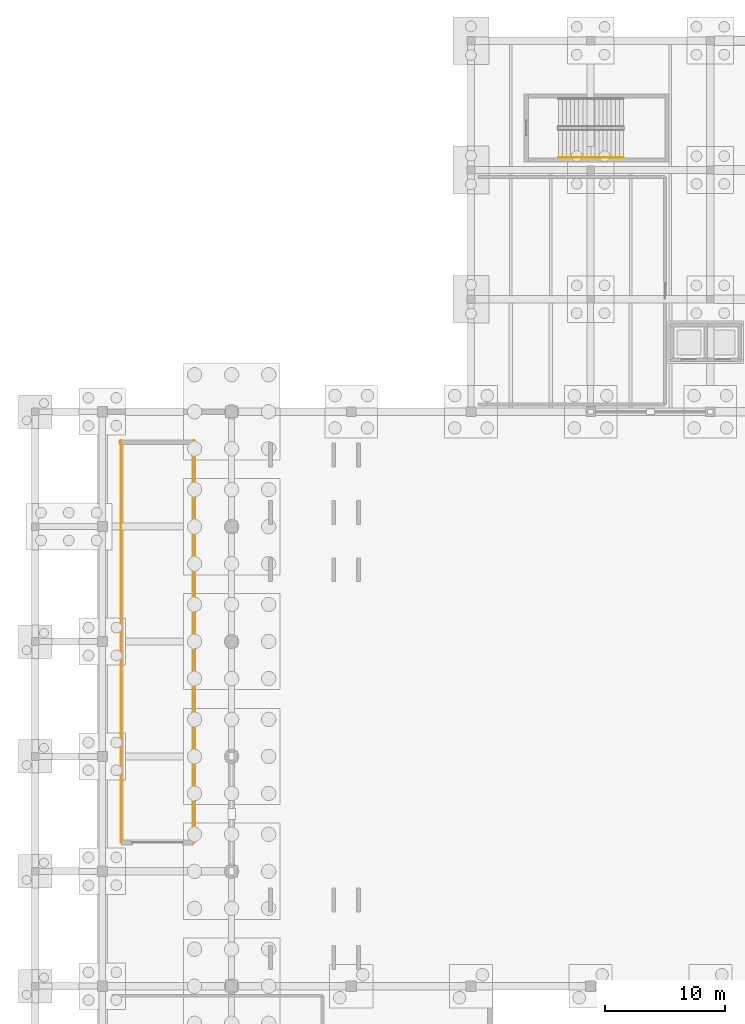
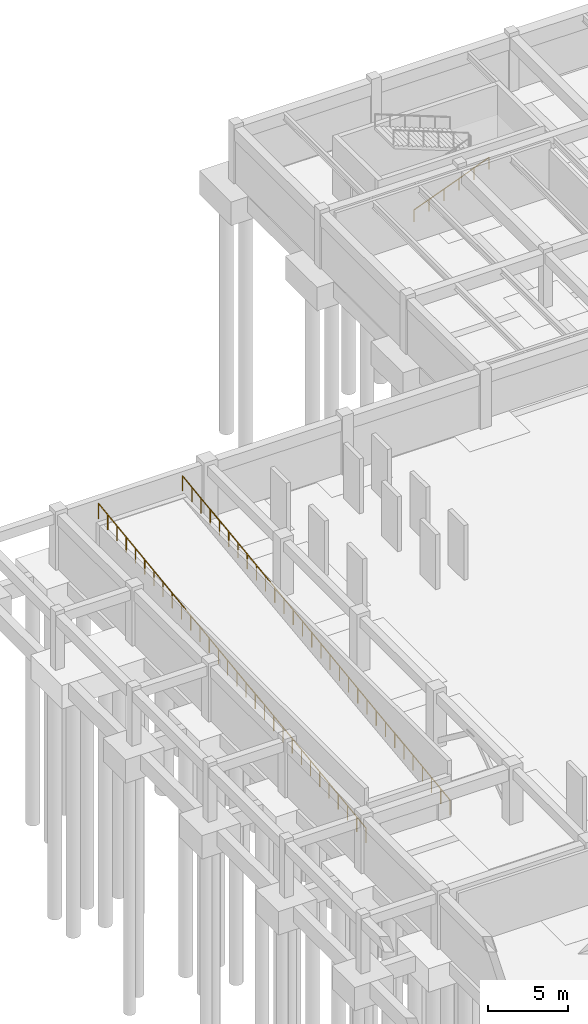
# One storey, part 27 of 33: 3 railings.
"""IFC4 building model written with IfcOpenShell, lengths in metres."""

from ifc_helpers import new_model, si_unit, direction, frame, origin, origin_2d, place, context, subcontext, project, spatial, circle, extrude, material, type_object, element, save


model = new_model("IFC4")

# Units and contexts
model_context = context("Model", 3, precision=1e-05, world=origin(), true_north=direction((0.0, 1.0)))
body_context = subcontext(model_context, "Body", "Model", "MODEL_VIEW")
ifc_project = project(units=[si_unit("LENGTHUNIT", "METRE"), si_unit("AREAUNIT", "SQUARE_METRE"), si_unit("VOLUMEUNIT", "CUBIC_METRE"), si_unit("PLANEANGLEUNIT", "RADIAN"), si_unit("MASSUNIT", "GRAM", prefix="KILO")], contexts=[model_context])

# Site, building, storey
site_placement = place(None, origin())
site = spatial("IfcSite", under=ifc_project, at=site_placement, CompositionType="ELEMENT")
building_placement = place(site_placement, origin())
building = spatial("IfcBuilding", under=site, at=building_placement, Name="Veldera Park Congress Hotel", CompositionType="ELEMENT")
storey_placement = place(building_placement, frame((0.0, 0.0, -4.5)))
storey = spatial("IfcBuildingStorey", under=building, at=storey_placement, Name="B1", CompositionType="ELEMENT", Elevation=-4.5)

# Railings
ifc_material = material(Name="Steel ASTM A992 Gr.50", Category="steel")
railing_type_1 = type_object("IfcRailingType", Name="GRD-EXT115", PredefinedType="GUARDRAIL", material=ifc_material)
railing_1_placement = place(storey_placement, frame((-76.64990234375, -9.0, 0.0)))
element("IfcRailing", 1, at=railing_1_placement, inside=storey, type_object=railing_type_1, Name="Vehicle Ramp Sloped Guard W", PredefinedType="GUARDRAIL", context=body_context, shape_type="SweptSolid", body=[
    extrude(circle(Radius=0.02392578125, at=origin_2d()), frame((0.0, 0.0, 1.1259765625), z_axis=(0.0, 0.991150493238, 0.132742983821), x_axis=(-1.0, 0.0, 0.0)), (0.0, 0.0, 1.0), 33.900146484375),
    extrude(circle(Radius=0.02099609375, at=origin_2d()), origin(), (0.0, 0.0, 1.0), 1.101806640625),
    extrude(circle(Radius=0.02099609375, at=origin_2d()), frame((0.0, 1.15869140625, 0.1552734375)), (0.0, 0.0, 1.0), 1.101806640625),
    extrude(circle(Radius=0.02099609375, at=origin_2d()), frame((0.0, 2.317138671875, 0.310302734375)), (0.0, 0.0, 1.0), 1.101806640625),
    extrude(circle(Radius=0.02099609375, at=origin_2d()), frame((0.0, 3.475830078125, 0.465576171875)), (0.0, 0.0, 1.0), 1.101806640625),
    extrude(circle(Radius=0.02099609375, at=origin_2d()), frame((0.0, 4.634521484375, 0.62060546875)), (0.0, 0.0, 1.0), 1.101806640625),
    extrude(circle(Radius=0.02099609375, at=origin_2d()), frame((0.0, 5.793212890625, 0.77587890625)), (0.0, 0.0, 1.0), 1.101806640625),
    extrude(circle(Radius=0.02099609375, at=origin_2d()), frame((0.0, 6.95166015625, 0.93115234375)), (0.0, 0.0, 1.0), 1.101806640625),
    extrude(circle(Radius=0.02099609375, at=origin_2d()), frame((0.0, 8.1103515625, 1.086181640625)), (0.0, 0.0, 1.0), 1.101806640625),
    extrude(circle(Radius=0.02099609375, at=origin_2d()), frame((0.0, 9.26904296875, 1.241455078125)), (0.0, 0.0, 1.0), 1.101806640625),
    extrude(circle(Radius=0.02099609375, at=origin_2d()), frame((0.0, 10.427734375, 1.396484375)), (0.0, 0.0, 1.0), 1.101806640625),
    extrude(circle(Radius=0.02099609375, at=origin_2d()), frame((0.0, 11.586181640625, 1.5517578125)), (0.0, 0.0, 1.0), 1.101806640625),
    extrude(circle(Radius=0.02099609375, at=origin_2d()), frame((0.0, 12.744873046875, 1.706787109375)), (0.0, 0.0, 1.0), 1.101806640625),
    extrude(circle(Radius=0.02099609375, at=origin_2d()), frame((0.0, 13.903564453125, 1.862060546875)), (0.0, 0.0, 1.0), 1.101806640625),
    extrude(circle(Radius=0.02099609375, at=origin_2d()), frame((0.0, 15.06201171875, 2.017333984375)), (0.0, 0.0, 1.0), 1.101806640625),
    extrude(circle(Radius=0.02099609375, at=origin_2d()), frame((0.0, 16.220703125, 2.17236328125)), (0.0, 0.0, 1.0), 1.101806640625),
    extrude(circle(Radius=0.02099609375, at=origin_2d()), frame((0.0, 17.37939453125, 2.32763671875)), (0.0, 0.0, 1.0), 1.101806640625),
    extrude(circle(Radius=0.02099609375, at=origin_2d()), frame((0.0, 18.5380859375, 2.482666015625)), (0.0, 0.0, 1.0), 1.101806640625),
    extrude(circle(Radius=0.02099609375, at=origin_2d()), frame((0.0, 19.696533203125, 2.637939453125)), (0.0, 0.0, 1.0), 1.101806640625),
    extrude(circle(Radius=0.02099609375, at=origin_2d()), frame((0.0, 20.855224609375, 2.793212890625)), (0.0, 0.0, 1.0), 1.101806640625),
    extrude(circle(Radius=0.02099609375, at=origin_2d()), frame((0.0, 22.013916015625, 2.9482421875)), (0.0, 0.0, 1.0), 1.101806640625),
    extrude(circle(Radius=0.02099609375, at=origin_2d()), frame((0.0, 23.17236328125, 3.103515625)), (0.0, 0.0, 1.0), 1.101806640625),
    extrude(circle(Radius=0.02099609375, at=origin_2d()), frame((0.0, 24.3310546875, 3.258544921875)), (0.0, 0.0, 1.0), 1.101806640625),
    extrude(circle(Radius=0.02099609375, at=origin_2d()), frame((0.0, 25.48974609375, 3.413818359375)), (0.0, 0.0, 1.0), 1.101806640625),
    extrude(circle(Radius=0.02099609375, at=origin_2d()), frame((0.0, 26.6484375, 3.56884765625)), (0.0, 0.0, 1.0), 1.101806640625),
    extrude(circle(Radius=0.02099609375, at=origin_2d()), frame((0.0, 27.806884765625, 3.72412109375)), (0.0, 0.0, 1.0), 1.101806640625),
    extrude(circle(Radius=0.02099609375, at=origin_2d()), frame((0.0, 28.965576171875, 3.87939453125)), (0.0, 0.0, 1.0), 1.101806640625),
    extrude(circle(Radius=0.02099609375, at=origin_2d()), frame((0.0, 30.124267578125, 4.034423828125)), (0.0, 0.0, 1.0), 1.101806640625),
    extrude(circle(Radius=0.02099609375, at=origin_2d()), frame((0.0, 31.282958984375, 4.189697265625)), (0.0, 0.0, 1.0), 1.101806640625),
    extrude(circle(Radius=0.02099609375, at=origin_2d()), frame((0.0, 32.44140625, 4.3447265625)), (0.0, 0.0, 1.0), 1.101806640625),
    extrude(circle(Radius=0.02099609375, at=origin_2d()), frame((0.0, 33.60009765625, 4.5)), (0.0, 0.0, 1.0), 1.101806640625),
])
railing_2_placement = place(storey_placement, frame((-70.550048828125, -9.0, 0.0)))
element("IfcRailing", 2, at=railing_2_placement, inside=storey, type_object=railing_type_1, Name="Vehicle Ramp Sloped Guard E", PredefinedType="GUARDRAIL", context=body_context, shape_type="SweptSolid", body=[
    extrude(circle(Radius=0.02392578125, at=origin_2d()), frame((0.0, 0.0, 1.1259765625), z_axis=(0.0, 0.991150493238, 0.132742983821), x_axis=(-1.0, 0.0, 0.0)), (0.0, 0.0, 1.0), 33.900146484375),
    extrude(circle(Radius=0.02099609375, at=origin_2d()), origin(), (0.0, 0.0, 1.0), 1.101806640625),
    extrude(circle(Radius=0.02099609375, at=origin_2d()), frame((0.0, 1.15869140625, 0.1552734375)), (0.0, 0.0, 1.0), 1.101806640625),
    extrude(circle(Radius=0.02099609375, at=origin_2d()), frame((0.0, 2.317138671875, 0.310302734375)), (0.0, 0.0, 1.0), 1.101806640625),
    extrude(circle(Radius=0.02099609375, at=origin_2d()), frame((0.0, 3.475830078125, 0.465576171875)), (0.0, 0.0, 1.0), 1.101806640625),
    extrude(circle(Radius=0.02099609375, at=origin_2d()), frame((0.0, 4.634521484375, 0.62060546875)), (0.0, 0.0, 1.0), 1.101806640625),
    extrude(circle(Radius=0.02099609375, at=origin_2d()), frame((0.0, 5.793212890625, 0.77587890625)), (0.0, 0.0, 1.0), 1.101806640625),
    extrude(circle(Radius=0.02099609375, at=origin_2d()), frame((0.0, 6.95166015625, 0.93115234375)), (0.0, 0.0, 1.0), 1.101806640625),
    extrude(circle(Radius=0.02099609375, at=origin_2d()), frame((0.0, 8.1103515625, 1.086181640625)), (0.0, 0.0, 1.0), 1.101806640625),
    extrude(circle(Radius=0.02099609375, at=origin_2d()), frame((0.0, 9.26904296875, 1.241455078125)), (0.0, 0.0, 1.0), 1.101806640625),
    extrude(circle(Radius=0.02099609375, at=origin_2d()), frame((0.0, 10.427734375, 1.396484375)), (0.0, 0.0, 1.0), 1.101806640625),
    extrude(circle(Radius=0.02099609375, at=origin_2d()), frame((0.0, 11.586181640625, 1.5517578125)), (0.0, 0.0, 1.0), 1.101806640625),
    extrude(circle(Radius=0.02099609375, at=origin_2d()), frame((0.0, 12.744873046875, 1.706787109375)), (0.0, 0.0, 1.0), 1.101806640625),
    extrude(circle(Radius=0.02099609375, at=origin_2d()), frame((0.0, 13.903564453125, 1.862060546875)), (0.0, 0.0, 1.0), 1.101806640625),
    extrude(circle(Radius=0.02099609375, at=origin_2d()), frame((0.0, 15.06201171875, 2.017333984375)), (0.0, 0.0, 1.0), 1.101806640625),
    extrude(circle(Radius=0.02099609375, at=origin_2d()), frame((0.0, 16.220703125, 2.17236328125)), (0.0, 0.0, 1.0), 1.101806640625),
    extrude(circle(Radius=0.02099609375, at=origin_2d()), frame((0.0, 17.37939453125, 2.32763671875)), (0.0, 0.0, 1.0), 1.101806640625),
    extrude(circle(Radius=0.02099609375, at=origin_2d()), frame((0.0, 18.5380859375, 2.482666015625)), (0.0, 0.0, 1.0), 1.101806640625),
    extrude(circle(Radius=0.02099609375, at=origin_2d()), frame((0.0, 19.696533203125, 2.637939453125)), (0.0, 0.0, 1.0), 1.101806640625),
    extrude(circle(Radius=0.02099609375, at=origin_2d()), frame((0.0, 20.855224609375, 2.793212890625)), (0.0, 0.0, 1.0), 1.101806640625),
    extrude(circle(Radius=0.02099609375, at=origin_2d()), frame((0.0, 22.013916015625, 2.9482421875)), (0.0, 0.0, 1.0), 1.101806640625),
    extrude(circle(Radius=0.02099609375, at=origin_2d()), frame((0.0, 23.17236328125, 3.103515625)), (0.0, 0.0, 1.0), 1.101806640625),
    extrude(circle(Radius=0.02099609375, at=origin_2d()), frame((0.0, 24.3310546875, 3.258544921875)), (0.0, 0.0, 1.0), 1.101806640625),
    extrude(circle(Radius=0.02099609375, at=origin_2d()), frame((0.0, 25.48974609375, 3.413818359375)), (0.0, 0.0, 1.0), 1.101806640625),
    extrude(circle(Radius=0.02099609375, at=origin_2d()), frame((0.0, 26.6484375, 3.56884765625)), (0.0, 0.0, 1.0), 1.101806640625),
    extrude(circle(Radius=0.02099609375, at=origin_2d()), frame((0.0, 27.806884765625, 3.72412109375)), (0.0, 0.0, 1.0), 1.101806640625),
    extrude(circle(Radius=0.02099609375, at=origin_2d()), frame((0.0, 28.965576171875, 3.87939453125)), (0.0, 0.0, 1.0), 1.101806640625),
    extrude(circle(Radius=0.02099609375, at=origin_2d()), frame((0.0, 30.124267578125, 4.034423828125)), (0.0, 0.0, 1.0), 1.101806640625),
    extrude(circle(Radius=0.02099609375, at=origin_2d()), frame((0.0, 31.282958984375, 4.189697265625)), (0.0, 0.0, 1.0), 1.101806640625),
    extrude(circle(Radius=0.02099609375, at=origin_2d()), frame((0.0, 32.44140625, 4.3447265625)), (0.0, 0.0, 1.0), 1.101806640625),
    extrude(circle(Radius=0.02099609375, at=origin_2d()), frame((0.0, 33.60009765625, 4.5)), (0.0, 0.0, 1.0), 1.101806640625),
])
railing_type_2 = type_object("IfcRailingType", Name="HRL-920", PredefinedType="HANDRAIL", material=ifc_material)
railing_3_placement = place(storey_placement, frame((-40.10009765625, 48.25, 0.13232421875)))
element("IfcRailing", 3, at=railing_3_placement, inside=storey, type_object=railing_type_2, Name="B1 ST4 stair handrail 1", PredefinedType="HANDRAIL", context=body_context, shape_type="SweptSolid", body=[
    extrude(circle(Radius=0.02392578125, at=origin_2d()), frame((0.0, 0.0, 0.89599609375), z_axis=(0.931886111629, 0.0, 0.362750982016), x_axis=(0.0, 1.0, 0.0)), (0.0, 0.0, 1.0), 5.837890625),
    extrude(circle(Radius=0.02099609375, at=origin_2d()), origin(), (0.0, 0.0, 1.0), 0.871826171875),
    extrude(circle(Radius=0.02099609375, at=origin_2d()), frame((1.088134765625, 0.0, 0.423583984375)), (0.0, 0.0, 1.0), 0.871826171875),
    extrude(circle(Radius=0.02099609375, at=origin_2d()), frame((2.176025390625, 0.0, 0.84716796875)), (0.0, 0.0, 1.0), 0.871826171875),
    extrude(circle(Radius=0.02099609375, at=origin_2d()), frame((3.26416015625, 0.0, 1.2705078125)), (0.0, 0.0, 1.0), 0.871826171875),
    extrude(circle(Radius=0.02099609375, at=origin_2d()), frame((4.35205078125, 0.0, 1.694091796875)), (0.0, 0.0, 1.0), 0.871826171875),
    extrude(circle(Radius=0.02099609375, at=origin_2d()), frame((5.440185546875, 0.0, 2.11767578125)), (0.0, 0.0, 1.0), 0.871826171875),
])

save(model, "model.ifc")
